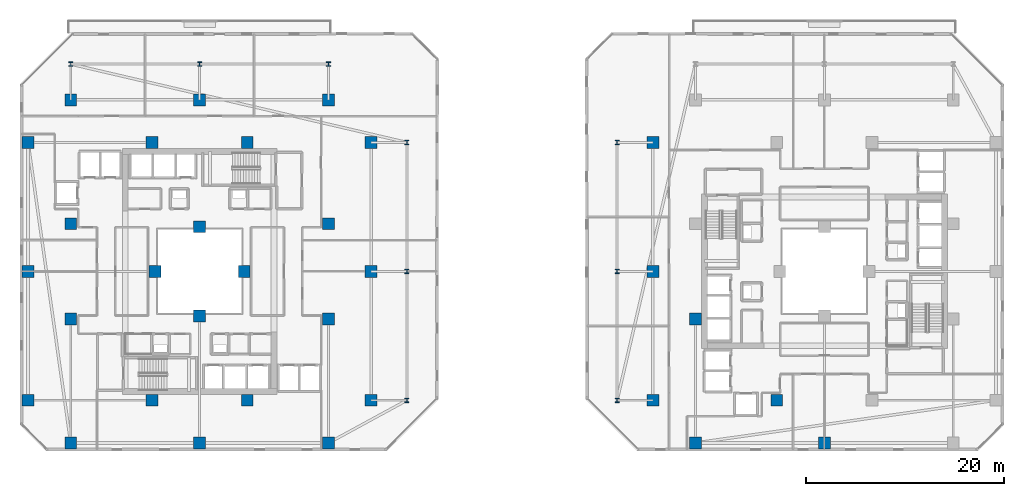
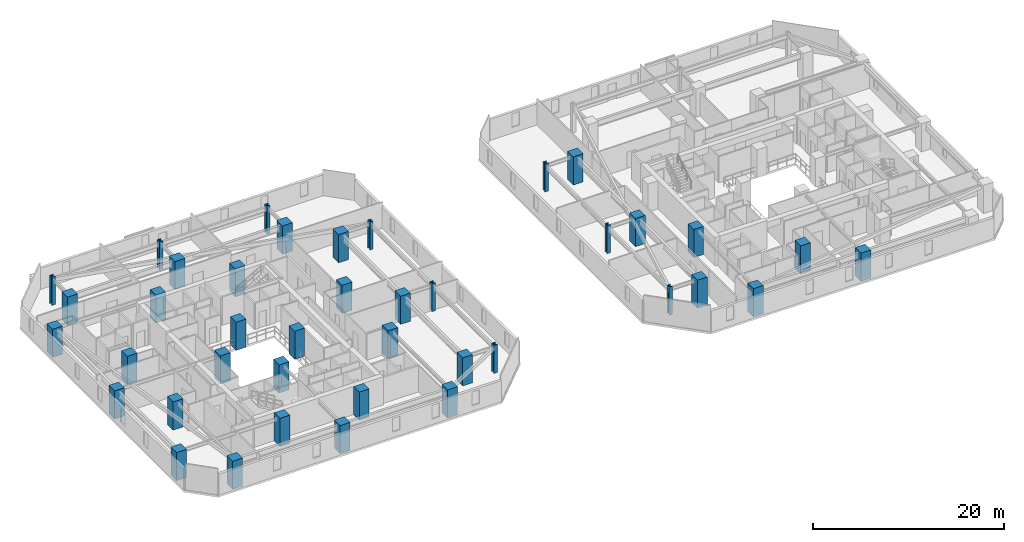
# One storey, part 1 of 31: 40 columns.
"""IFC4 building model written with IfcOpenShell, lengths in metres."""

from ifc_helpers import new_model, si_unit, direction, frame, origin, origin_2d, place, context, subcontext, project, spatial, rectangle, i_section, extrude, material, material_profile, profile_set, type_object, element, save


model = new_model("IFC4")

# Units and contexts
model_context = context("Model", 3, precision=1e-05, world=origin(), true_north=direction((0.0, 1.0)))
body_context = subcontext(model_context, "Body", "Model", "MODEL_VIEW")
ifc_project = project(units=[si_unit("LENGTHUNIT", "METRE"), si_unit("AREAUNIT", "SQUARE_METRE"), si_unit("VOLUMEUNIT", "CUBIC_METRE"), si_unit("PLANEANGLEUNIT", "RADIAN"), si_unit("MASSUNIT", "GRAM", prefix="KILO")], contexts=[model_context])

# Site, building, storey
site_placement = place(None, origin())
site = spatial("IfcSite", under=ifc_project, at=site_placement, CompositionType="ELEMENT")
building_placement = place(site_placement, origin())
building = spatial("IfcBuilding", under=site, at=building_placement, Name="Thornwick Lancets Civic Towers", CompositionType="ELEMENT")
storey_placement = place(building_placement, frame((0.0, 0.0, 87.300048828125)))
storey = spatial("IfcBuildingStorey", under=building, at=storey_placement, Name="L22", CompositionType="ELEMENT", Elevation=87.300048828125)

# Columns
ifc_material_1 = material(Name="Concrete C60/75", Category="concrete")
ifc_material_profile_1 = material_profile(ifc_material_1, rectangle(XDim=1.199951171875, YDim=1.199951171875, at=origin_2d()), Name="RC 1200x1200")
ifc_profile_set_1 = profile_set([ifc_material_profile_1], Name="Concrete C60/75")
column_type_1 = type_object("IfcColumnType", Name="COL_RC_1200", PredefinedType="COLUMN", material=ifc_profile_set_1)
for number, where, z_axis, x_axis, name in (
    (1, (12.5, 9.699951171875, 0.0), (0.0, 0.0, 1.0), (1.0, 0.0, 0.0), "L22 Spine Mega-Column A01"),
    (2, (25.5, 9.699951171875, 0.0), (0.0, 0.0, 1.0), (1.0, 0.0, 0.0), "L22 Spine Mega-Column A02"),
    (3, (38.5, 9.699951171875, 0.0), (0.0, 0.0, 1.0), (1.0, 0.0, 0.0), "L22 Spine Mega-Column A03"),
    (4, (42.800048828125, 14.0, 0.0), (0.0, 0.0, 1.0), (1.0, 0.0, 0.0), "L22 Spine Mega-Column A04"),
    (5, (42.800048828125, 27.0, 0.0), (0.0, 0.0, 1.0), (1.0, 0.0, 0.0), "L22 Spine Mega-Column A05"),
    (6, (42.800048828125, 40.0, 0.0), (0.0, 0.0, 1.0), (1.0, 0.0, 0.0), "L22 Spine Mega-Column A06"),
    (7, (12.5, 44.300048828125, 0.0), (0.0, 0.0, 1.0), (1.0, 0.0, 0.0), "L22 Spine Mega-Column A07"),
    (8, (25.5, 44.300048828125, 0.0), (0.0, 0.0, 1.0), (1.0, 0.0, 0.0), "L22 Spine Mega-Column A08"),
    (9, (38.5, 44.300048828125, 0.0), (0.0, 0.0, 1.0), (1.0, 0.0, 0.0), "L22 Spine Mega-Column A09"),
    (10, (8.199951171875, 14.0, 0.0), (0.0, 0.0, 1.0), (1.0, 0.0, 0.0), "L22 Spine Mega-Column A10"),
    (11, (8.199951171875, 27.0, 0.0), (0.0, 0.0, 1.0), (1.0, 0.0, 0.0), "L22 Spine Mega-Column A11"),
    (12, (8.199951171875, 40.0, 0.0), (0.0, 0.0, 1.0), (1.0, 0.0, 0.0), "L22 Spine Mega-Column A12"),
    (13, (12.5, 22.199951171875, 0.0), (0.0, 0.0, 1.0), (1.0, 0.0, 0.0), "L22 Spine Mega-Column A13"),
    (14, (38.5, 22.199951171875, 0.0), (0.0, 0.0, 1.0), (1.0, 0.0, 0.0), "L22 Spine Mega-Column A14"),
    (15, (12.5, 31.800048828125, 0.0), (0.0, 0.0, 1.0), (1.0, 0.0, 0.0), "L22 Spine Mega-Column A15"),
    (16, (38.5, 31.800048828125, 0.0), (0.0, 0.0, 1.0), (1.0, 0.0, 0.0), "L22 Spine Mega-Column A16"),
    (17, (20.699951171875, 14.0, 0.0), (0.0, 0.0, 1.0), (1.0, 0.0, 0.0), "L22 Spine Mega-Column A17"),
    (18, (30.300048828125, 14.0, 0.0), (0.0, 0.0, 1.0), (1.0, 0.0, 0.0), "L22 Spine Mega-Column A18"),
    (19, (20.699951171875, 40.0, 0.0), (0.0, 0.0, 1.0), (1.0, 0.0, 0.0), "L22 Spine Mega-Column A19"),
    (20, (30.300048828125, 40.0, 0.0), (0.0, 0.0, 1.0), (1.0, 0.0, 0.0), "L22 Spine Mega-Column A20"),
    (21, (25.5, 22.5, 0.0), (0.0, 0.0, 1.0), (1.0, 0.0, 0.0), "L22 Spine Mega-Column A21"),
    (22, (25.5, 31.5, 0.0), (0.0, 0.0, 1.0), (1.0, 0.0, 0.0), "L22 Spine Mega-Column A22"),
    (23, (21.0, 27.0, 0.0), (0.0, 0.0, 1.0), (1.0, 0.0, 0.0), "L22 Spine Mega-Column A23"),
    (24, (30.0, 27.0, 0.0), (0.0, 0.0, 1.0), (1.0, 0.0, 0.0), "L22 Spine Mega-Column A24"),
    (25, (71.199951171875, 14.0, 0.0), (0.0, 0.0, 1.0), (1.0, 0.0, 0.0), "L22 Spine Mega-Column B07"),
    (26, (71.199951171875, 27.0, 0.0), (0.0, 0.0, 1.0), (1.0, 0.0, 0.0), "L22 Spine Mega-Column B08"),
    (27, (71.199951171875, 40.0, 0.0), (0.0, 0.0, 1.0), (1.0, 0.0, 0.0), "L22 Spine Mega-Column B09"),
    (28, (88.5, 9.699951171875, 0.0), (0.0, 0.0, 1.0), (1.0, 0.0, 0.0), "L22 Spine Mega-Column B11"),
    (29, (75.5, 9.699951171875, 0.0), (0.0, 0.0, 1.0), (1.0, 0.0, 0.0), "L22 Spine Mega-Column B12"),
    (30, (83.699951171875, 14.0, 0.0), (0.0, 0.0, 1.0), (1.0, 0.0, 0.0), "L22 Spine Mega-Column B15"),
    (31, (75.5, 22.199951171875, 0.0), (0.0, 0.0, 1.0), (1.0, 0.0, 0.0), "L22 Spine Mega-Column B19"),
):
    element("IfcColumn", number, at=place(storey_placement, frame(where, z_axis=z_axis, x_axis=x_axis)), inside=storey, type_object=column_type_1, Name=name, PredefinedType="COLUMN", context=body_context, shape_type="SweptSolid", body=[
        extrude(rectangle(XDim=1.199951171875, YDim=1.199951171875, at=origin_2d()), origin(), (0.0, 0.0, 1.0), 3.599853515625),
    ])
ifc_material_2 = material(Name="Steel S460M", Category="steel")
ifc_material_profile_2 = material_profile(ifc_material_2, i_section(OverallWidth=0.41845703125, OverallDepth=0.45556640625, WebThickness=0.0419921875, FlangeThickness=0.0673828125, FilletRadius=0.01513671875, at=origin_2d()), Name="UKC 356x406x551")
ifc_profile_set_2 = profile_set([ifc_material_profile_2], Name="Steel S460M")
column_type_2 = type_object("IfcColumnType", Name="COL_UKC_551", PredefinedType="COLUMN", material=ifc_profile_set_2)
for number, where, z_axis, x_axis, name in (
    (32, (46.39990234375, 14.0, 0.0), (0.0, 0.0, 1.0), (1.0, 0.0, 0.0), "L22 Block Perimeter Column A04"),
    (33, (46.39990234375, 27.0, 0.0), (0.0, 0.0, 1.0), (1.0, 0.0, 0.0), "L22 Block Perimeter Column A05"),
    (34, (46.39990234375, 40.0, 0.0), (0.0, 0.0, 1.0), (1.0, 0.0, 0.0), "L22 Block Perimeter Column A06"),
    (35, (12.5, 47.89990234375, 0.0), (0.0, 0.0, 1.0), (1.0, 0.0, 0.0), "L22 Block Perimeter Column A07"),
    (36, (25.5, 47.89990234375, 0.0), (0.0, 0.0, 1.0), (1.0, 0.0, 0.0), "L22 Block Perimeter Column A08"),
    (37, (38.5, 47.89990234375, 0.0), (0.0, 0.0, 1.0), (1.0, 0.0, 0.0), "L22 Block Perimeter Column A09"),
    (38, (67.60009765625, 14.0, 0.0), (0.0, 0.0, 1.0), (1.0, 0.0, 0.0), "L22 Block Perimeter Column B07"),
    (39, (67.60009765625, 27.0, 0.0), (0.0, 0.0, 1.0), (1.0, 0.0, 0.0), "L22 Block Perimeter Column B08"),
    (40, (67.60009765625, 40.0, 0.0), (0.0, 0.0, 1.0), (1.0, 0.0, 0.0), "L22 Block Perimeter Column B09"),
):
    element("IfcColumn", number, at=place(storey_placement, frame(where, z_axis=z_axis, x_axis=x_axis)), inside=storey, type_object=column_type_2, Name=name, PredefinedType="COLUMN", context=body_context, shape_type="SweptSolid", body=[
        extrude(i_section(OverallWidth=0.41845703125, OverallDepth=0.45556640625, WebThickness=0.0419921875, FlangeThickness=0.0673828125, FilletRadius=0.01513671875, at=origin_2d()), origin(), (0.0, 0.0, 1.0), 3.599853515625),
    ])

save(model, "model.ifc")
